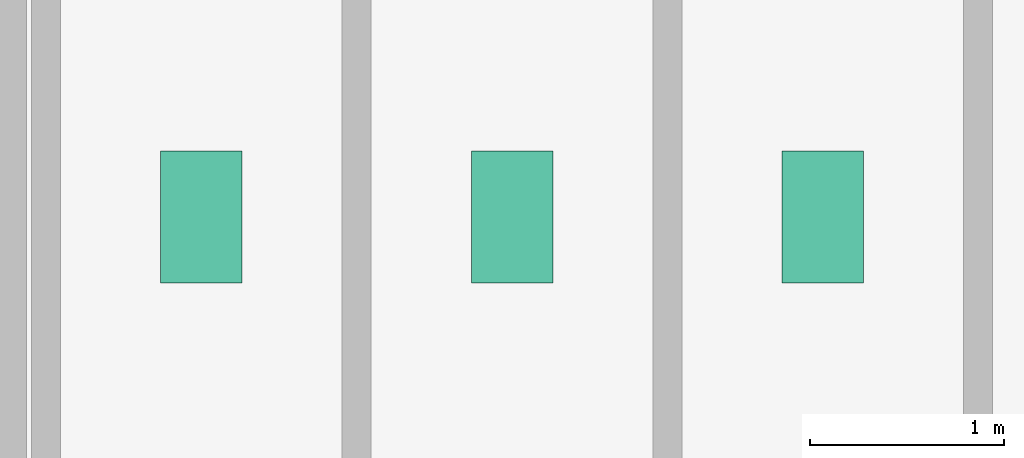
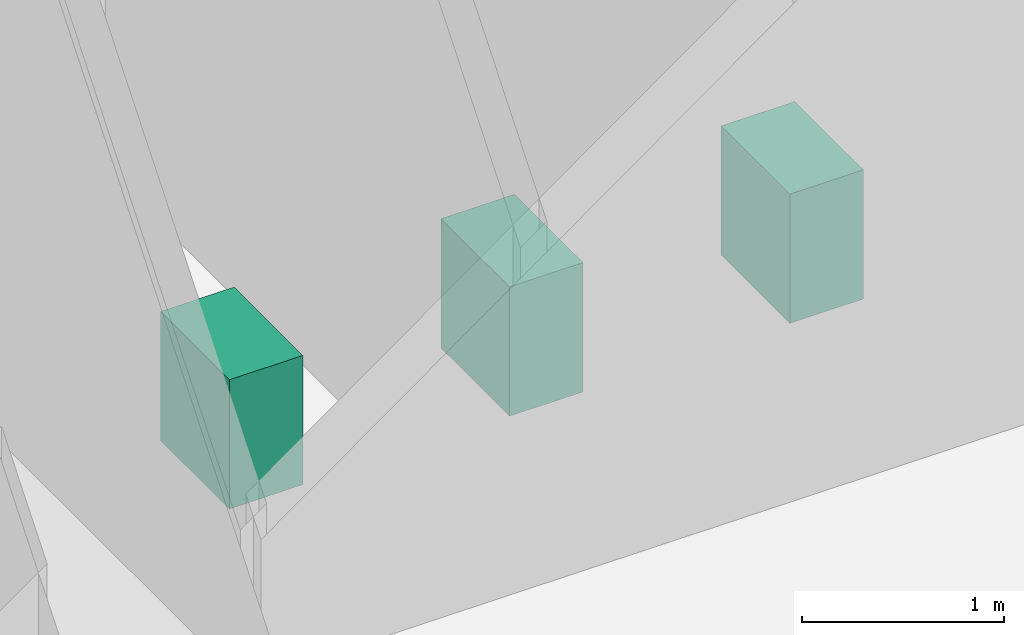
# One storey, part 23 of 23: 3 sanitary terminals.
"""IFC4 building model written with IfcOpenShell, lengths in metres."""

from ifc_helpers import new_model, si_unit, derived_unit, direction, frame, origin, origin_2d, place, context, subcontext, project, spatial, rectangle, extrude, source, transform, mapped, material, type_object, element, save


model = new_model("IFC4")

# Units and contexts
model_context = context("Model", 3, precision=1e-05, world=origin(), true_north=direction((0.0, 1.0)))
body_context = subcontext(model_context, "Body", "Model", "MODEL_VIEW")
ifc_project = project(units=[si_unit("LENGTHUNIT", "METRE"), si_unit("AREAUNIT", "SQUARE_METRE"), si_unit("VOLUMEUNIT", "CUBIC_METRE"), si_unit("PLANEANGLEUNIT", "RADIAN"), si_unit("MASSUNIT", "GRAM", prefix="KILO"), derived_unit("THERMALTRANSMITTANCEUNIT", [(si_unit("POWERUNIT", "WATT"), 1), (si_unit("LENGTHUNIT", "METRE"), -2), (si_unit("THERMODYNAMICTEMPERATUREUNIT", "KELVIN"), -1)])], contexts=[model_context])

# Site, building, storey
site_placement = place(None, origin())
site = spatial("IfcSite", under=ifc_project, at=site_placement, CompositionType="ELEMENT")
building_placement = place(site_placement, origin())
building = spatial("IfcBuilding", under=site, at=building_placement, Name="Skarnbrae Concourse Arena and Tower", CompositionType="ELEMENT")
storey_placement = place(building_placement, frame((0.0, 0.0, 43.449951171875)))
storey = spatial("IfcBuildingStorey", under=building, at=storey_placement, Name="L09", CompositionType="ELEMENT", Elevation=43.449951171875)

# Sanitary terminals
ifc_material = material(Name="Vitreous china sanitaryware", Category="other")
sanitary_terminal_type = type_object("IfcSanitaryTerminalType", Name="SAN-WC-VITREOUS", PredefinedType="TOILETPAN", material=ifc_material)
shared_shape = source(origin(), body_context, "Body", "SweptSolid", [
    extrude(rectangle(XDim=0.419921875, YDim=0.679931640625, at=origin_2d()), origin(), (0.0, 0.0, 1.0), 0.780029296875),
])
for number, where, z_axis, x_axis, name in (
    (1, (35.0, 11.39990234375, 0.0), (0.0, 0.0, 1.0), (1.0, 0.0, 0.0), "L09 Washroom WC fixture 1"),
    (2, (36.60009765625, 11.39990234375, 0.0), (0.0, 0.0, 1.0), (1.0, 0.0, 0.0), "L09 Washroom WC fixture 2"),
    (3, (38.199951171875, 11.39990234375, 0.0), (0.0, 0.0, 1.0), (1.0, 0.0, 0.0), "L09 Washroom WC fixture 3"),
):
    element("IfcSanitaryTerminal", number, at=place(storey_placement, frame(where, z_axis=z_axis, x_axis=x_axis)), inside=storey, type_object=sanitary_terminal_type, Name=name, PredefinedType="TOILETPAN", context=body_context, shape_type="MappedRepresentation", body=[
        mapped(shared_shape, transform((0.0, 0.0, 0.0))),
    ])

save(model, "model.ifc")
